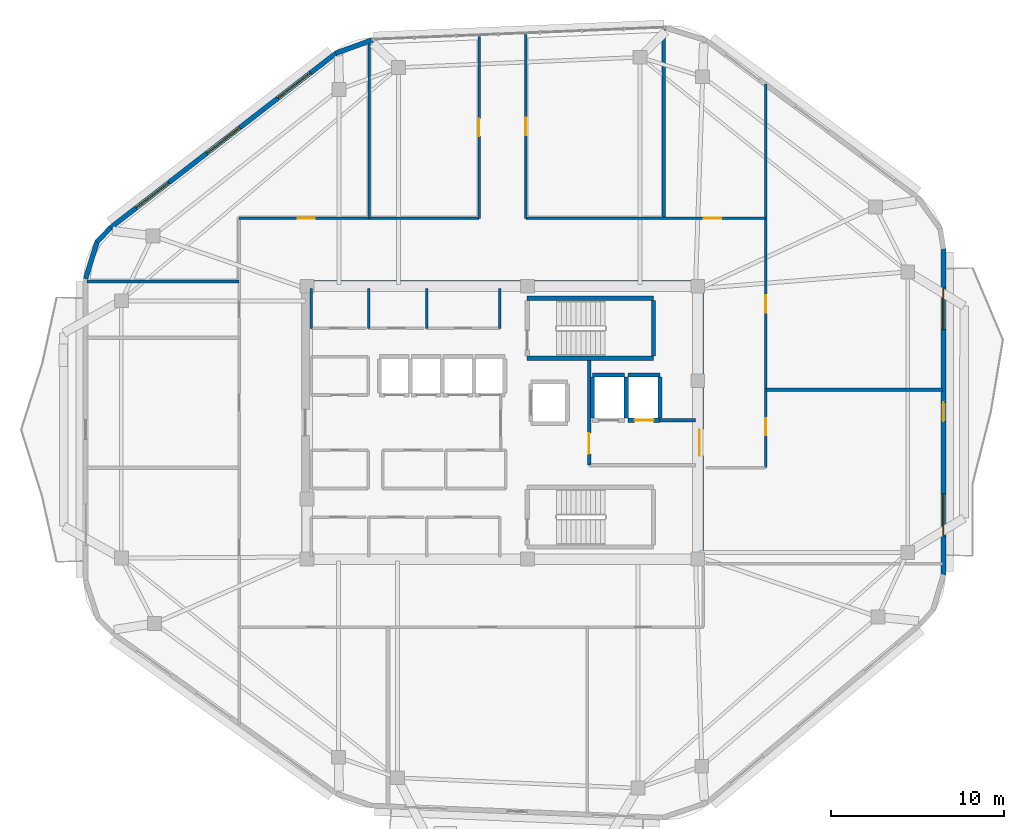
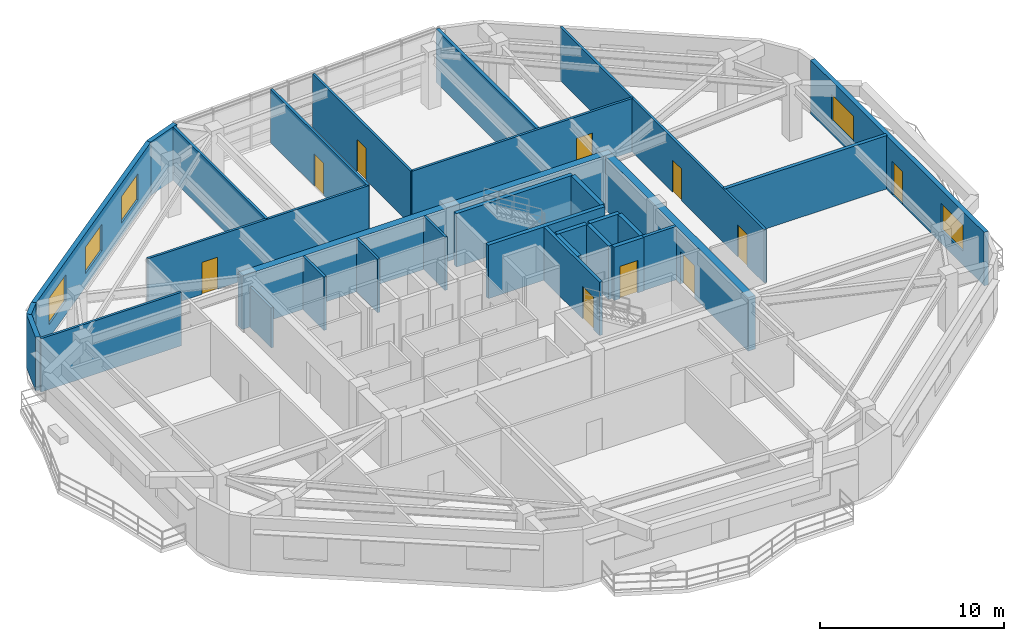
# One storey, part 8 of 12: 31 walls, 10 doors, 5 windows, 15 openings.
"""IFC4 building model written with IfcOpenShell, lengths in metres."""

import ifcopenshell
import ifcopenshell.guid

model = None  # the IFC model being written
_history = None  # IfcOwnerHistory: only IFC2X3 demands one
_inside = {}  # id of a spatial element -> (the spatial element, [elements in it])
_under = {}  # id of a project, library or spatial element -> (it, [spatial elements below it])
_declared = {}  # id of a project -> (the project, [libraries it declares])
_typed = {}  # id of a type object -> (the type object, [elements of that type])
_made_of = {}  # id of a material, layer set ... -> (it, [elements and type objects made of it])


def new_model(schema):
    """Start an empty IFC model of exactly this schema.

    Asked for "IFC4X3", IfcOpenShell would pick the latest addendum, in which some entities
    have other attributes; the version numbers below select the first issue.
    IFC2X3 requires an IfcOwnerHistory on every rooted entity: one is made here for all.
    """
    global model, _history
    if schema == "IFC4X3":
        model = ifcopenshell.file(schema_version=(4, 3, 0, 0))
    else:
        model = ifcopenshell.file(schema=schema)
    _inside.clear()
    _under.clear()
    _declared.clear()
    _typed.clear()
    _made_of.clear()
    _history = None
    if model.schema == "IFC2X3":
        org = make("IfcOrganization", Name="unknown")
        user = make(
            "IfcPersonAndOrganization",
            ThePerson=make("IfcPerson", FamilyName="unknown"),
            TheOrganization=org,
        )
        app = make(
            "IfcApplication",
            ApplicationDeveloper=org,
            Version="unknown",
            ApplicationFullName="unknown",
            ApplicationIdentifier="unknown",
        )
        _history = make(
            "IfcOwnerHistory",
            OwningUser=user,
            OwningApplication=app,
            ChangeAction="ADDED",
            CreationDate=0,
        )
    return model


def make(cls, **values):
    """One entity of the class cls with the attributes given. An attribute that is None is left unset."""
    return model.create_entity(
        cls, **{name: value for name, value in values.items() if value is not None}
    )


def rooted(cls, **values):
    """An entity with a GlobalId (a new one), such as an element, a storey or a relation."""
    return make(cls, GlobalId=ifcopenshell.guid.new(), OwnerHistory=_history, **values)


def si_unit(unit_type, name, prefix=None):
    """IfcSIUnit, for example si_unit("LENGTHUNIT", "METRE", prefix="MILLI")."""
    return make("IfcSIUnit", UnitType=unit_type, Prefix=prefix, Name=name)


def assignment(units):
    """IfcUnitAssignment: the units of a project."""
    return None if units is None else make("IfcUnitAssignment", Units=units)


def point(xyz):
    """IfcCartesianPoint."""
    return None if xyz is None else make("IfcCartesianPoint", Coordinates=xyz)


def direction(xyz):
    """IfcDirection."""
    return None if xyz is None else make("IfcDirection", DirectionRatios=xyz)


def frame(location, z_axis=None, x_axis=None):
    """IfcAxis2Placement3D, a coordinate frame: its origin and axes. An axis left out is left unset."""
    return make(
        "IfcAxis2Placement3D",
        Location=point(location),
        Axis=direction(z_axis),
        RefDirection=direction(x_axis),
    )


def frame_2d(location, x_axis=None):
    """IfcAxis2Placement2D, a coordinate frame in the plane: its origin and x axis."""
    return make(
        "IfcAxis2Placement2D", Location=point(location), RefDirection=direction(x_axis)
    )


def origin():
    """The frame at (0, 0, 0) with its axes left unset."""
    return frame((0.0, 0.0, 0.0))


def place(relative_to, where):
    """IfcLocalPlacement: puts the frame where relative to a parent placement (None: the world)."""
    return make(
        "IfcLocalPlacement", PlacementRelTo=relative_to, RelativePlacement=where
    )


def context(
    kind, dimensions, precision=None, world=None, true_north=None, identifier=None
):
    """IfcGeometricRepresentationContext, for example the 3D "Model" context."""
    return make(
        "IfcGeometricRepresentationContext",
        ContextIdentifier=identifier,
        ContextType=kind,
        CoordinateSpaceDimension=dimensions,
        Precision=precision,
        WorldCoordinateSystem=world,
        TrueNorth=true_north,
    )


def subcontext(parent, identifier, kind, view, scale=None):
    """IfcGeometricRepresentationSubContext, for example "Body" below "Model"."""
    return make(
        "IfcGeometricRepresentationSubContext",
        ContextIdentifier=identifier,
        ContextType=kind,
        ParentContext=parent,
        TargetScale=scale,
        TargetView=view,
    )


def project(units=None, contexts=None):
    """IfcProject with its units and contexts."""
    return rooted(
        "IfcProject",
        Name="project",
        RepresentationContexts=contexts,
        UnitsInContext=assignment(units),
    )


def spatial(cls, under=None, at=None, **own):
    """A site, building, storey or space (cls), placed at a placement, below another one or the project."""
    s = rooted(cls, ObjectPlacement=at, **own)
    if under is not None:
        _under.setdefault(under.id(), (under, []))[1].append(s)
    return s


def profile(cls, at=None, kind="AREA", **sizes):
    """A parametric profile (cls). Its sizes go by their IFC names, for example OverallWidth=200.0."""
    return make(cls, ProfileType=kind, Position=at, **sizes)


def rectangle(**sizes):
    """IfcRectangleProfileDef."""
    return profile("IfcRectangleProfileDef", **sizes)


def extrude(swept, where, along, depth):
    """IfcExtrudedAreaSolid: the profile swept, set in the frame where, extruded along a direction by depth."""
    return make(
        "IfcExtrudedAreaSolid",
        SweptArea=swept,
        Position=where,
        ExtrudedDirection=direction(along),
        Depth=depth,
    )


def shape(context_of_items, identifier, shape_type, items):
    """IfcShapeRepresentation: the items that make up one representation, for example the "Body"."""
    return make(
        "IfcShapeRepresentation",
        ContextOfItems=context_of_items,
        RepresentationIdentifier=identifier,
        RepresentationType=shape_type,
        Items=items,
    )


def material(Name=None, Category=None):
    """IfcMaterial."""
    return make("IfcMaterial", Name=Name, Category=Category)


def layer(
    of_material, thickness, ventilated=None, Name=None, Category=None, Priority=None
):
    """IfcMaterialLayer: one layer of a wall or slab, of a material (None: an air gap)."""
    return make(
        "IfcMaterialLayer",
        Material=of_material,
        LayerThickness=thickness,
        IsVentilated=ventilated,
        Name=Name,
        Category=Category,
        Priority=Priority,
    )


def layer_set(layers, Name=None):
    """IfcMaterialLayerSet."""
    return make("IfcMaterialLayerSet", MaterialLayers=layers, LayerSetName=Name)


def made_of(thing, what):
    """Note that an element or type object is made of a material, layer set ...; save() writes the relation."""
    if what is not None:
        _made_of.setdefault(what.id(), (what, []))[1].append(thing)
    return thing


def type_object(cls, material=None, **own):
    """A type object (cls), such as IfcWallType, which elements share."""
    return made_of(rooted(cls, **own), material)


def element(
    cls,
    number,
    at=None,
    inside=None,
    cuts=None,
    type_object=None,
    material=None,
    context=None,
    identifier="Body",
    shape_type=None,
    held_by="IfcProductDefinitionShape",
    body=None,
    shapes=None,
    **own,
):
    """One element of the class cls, such as IfcWall. Its Tag is "e" and its number.

    at: its placement. inside: the storey or other place that contains it. cuts: it is an
    opening in that element (IfcRelVoidsElement). A single representation is given by context,
    identifier, shape_type and body (its items); several are given by shapes. held_by: the class
    of the entity that holds the representations. save() writes the other relations.
    """
    e = rooted(cls, Tag="e%d" % number, ObjectPlacement=at, **own)
    if body is not None:
        shapes = [shape(context, identifier, shape_type, body)]
    if shapes is not None:
        e.Representation = make(held_by, Representations=shapes)
    if inside is not None:
        _inside.setdefault(inside.id(), (inside, []))[1].append(e)
    if cuts is not None:
        rooted(
            "IfcRelVoidsElement", RelatingBuildingElement=cuts, RelatedOpeningElement=e
        )
    if type_object is not None:
        _typed.setdefault(type_object.id(), (type_object, []))[1].append(e)
    return made_of(e, material)


def fill(opening, filler):
    """IfcRelFillsElement: the door or window that sits in an opening."""
    return rooted(
        "IfcRelFillsElement",
        RelatingOpeningElement=opening,
        RelatedBuildingElement=filler,
    )


def aggregate(whole, parts):
    """IfcRelAggregates: a whole, such as a stair, and the parts it consists of."""
    return rooted("IfcRelAggregates", RelatingObject=whole, RelatedObjects=parts)


def save(model, path):
    """Write the relations noted so far, then the file.

    IfcRelAggregates (storeys below a building ...), IfcRelContainedInSpatialStructure (elements
    in a storey), IfcRelDefinesByType, IfcRelAssociatesMaterial and IfcRelDeclares: one each for
    every whole, place, type object, material and project.
    """
    for whole, parts in _under.values():
        aggregate(whole, parts)
    for where, things in _inside.values():
        rooted(
            "IfcRelContainedInSpatialStructure",
            RelatedElements=things,
            RelatingStructure=where,
        )
    for kind, things in _typed.values():
        rooted("IfcRelDefinesByType", RelatedObjects=things, RelatingType=kind)
    for what, things in _made_of.values():
        rooted("IfcRelAssociatesMaterial", RelatedObjects=things, RelatingMaterial=what)
    for by, libraries in _declared.values():
        rooted("IfcRelDeclares", RelatingContext=by, RelatedDefinitions=libraries)
    model.write(path)


model = new_model("IFC4")

# Units and contexts
model_context = context("Model", 3, precision=1e-05, world=origin(), true_north=direction((0.0, 1.0)))
body_context = subcontext(model_context, "Body", "Model", "MODEL_VIEW")
ifc_project = project(units=[si_unit("LENGTHUNIT", "METRE"), si_unit("AREAUNIT", "SQUARE_METRE"), si_unit("VOLUMEUNIT", "CUBIC_METRE"), si_unit("PLANEANGLEUNIT", "RADIAN"), si_unit("MASSUNIT", "GRAM", prefix="KILO")], contexts=[model_context])

# Site, building, storey
site_placement = place(None, origin())
site = spatial("IfcSite", under=ifc_project, at=site_placement, CompositionType="ELEMENT")
building_placement = place(site_placement, origin())
building = spatial("IfcBuilding", under=site, at=building_placement, Name="Zulverin Broadcast Headquarters", CompositionType="ELEMENT")
storey_placement = place(building_placement, frame((0.0, 0.0, 289.60009765625)))
storey = spatial("IfcBuildingStorey", under=building, at=storey_placement, Name="L74", CompositionType="ELEMENT", Elevation=289.60009765625)

# Walls
ifc_material_1 = material(Name="Acoustic drywall steel stud", Category="steel")
ifc_layer_1 = layer(ifc_material_1, 0.199951171875, Name="Acoustic drywall steel stud", Category="steel")
ifc_layer_set_1 = layer_set([ifc_layer_1], Name="Acoustic drywall steel stud")
wall_type_1 = type_object("IfcWallType", Name="WL-ACOU-200", PredefinedType="PARTITIONING", material=ifc_layer_set_1)
wall_1_placement = place(storey_placement, frame((46.300048828125, 37.0, 0.0), z_axis=(0.0, 0.0, 1.0), x_axis=(0.0, 1.0, 0.0)))
element("IfcWall", 1, at=wall_1_placement, inside=storey, type_object=wall_type_1, Name="L74 Room Partition Wall RP-03", PredefinedType="PARTITIONING", context=body_context, shape_type="SweptSolid", body=[
    extrude(rectangle(XDim=10.935302734375, YDim=0.199951171875, at=frame_2d((5.4677734375, 0.0))), origin(), (0.0, 0.0, 1.0), 3.539794921875),
])
ifc_material_2 = material(Name="Double-stud acoustic drywall", Category="gypsum")
ifc_layer_2 = layer(ifc_material_2, 0.219970703125, Name="Double-stud acoustic drywall", Category="gypsum")
ifc_layer_set_2 = layer_set([ifc_layer_2], Name="Double-stud acoustic drywall")
wall_type_2 = type_object("IfcWallType", Name="WL-ACOU-220", PredefinedType="PARTITIONING", material=ifc_layer_set_2)
wall_2_placement = place(storey_placement, frame((52.200927734375, 27.10009765625, 0.0), z_axis=(0.0, 0.0, 1.0), x_axis=(1.0, 0.0, 0.0)))
element("IfcWall", 2, at=wall_2_placement, inside=storey, type_object=wall_type_2, Name="L74 Room Partition Wall RP-14", PredefinedType="PARTITIONING", context=body_context, shape_type="SweptSolid", body=[
    extrude(rectangle(XDim=10.194091796875, YDim=0.219970703125, at=frame_2d((5.09716796875, 0.0))), origin(), (0.0, 0.0, 1.0), 3.539794921875),
])
ifc_material_3 = material(Name="Concrete C50/60", Category="concrete")
ifc_layer_3 = layer(ifc_material_3, 0.449951171875, Name="Concrete C50/60", Category="concrete")
ifc_layer_set_3 = layer_set([ifc_layer_3], Name="Concrete C50/60")
wall_type_3 = type_object("IfcWallType", Name="WL-CORE-450", PredefinedType="SHEAR", material=ifc_layer_set_3)
wall_3_placement = place(storey_placement, frame((25.39990234375, 33.175048828125, 0.0), z_axis=(0.0, 0.0, 1.0), x_axis=(1.0, 0.0, 0.0)))
element("IfcWall", 3, at=wall_3_placement, inside=storey, type_object=wall_type_3, Name="L74 Core North Shear Wall", PredefinedType="SHEAR", context=body_context, shape_type="SweptSolid", body=[
    extrude(rectangle(XDim=23.2001953125, YDim=0.449951171875, at=frame_2d((11.60009765625, 0.0))), origin(), (0.0, 0.0, 1.0), 3.539794921875),
])

# Wall, opening, door
wall_4_placement = place(storey_placement, frame((48.375, 17.449951171875, 0.0), z_axis=(0.0, 0.0, 1.0), x_axis=(0.0, 1.0, 0.0)))
wall_4 = element("IfcWall", 4, at=wall_4_placement, inside=storey, type_object=wall_type_3, Name="L74 Core East Shear Wall", PredefinedType="SHEAR", context=body_context, shape_type="SweptSolid", body=[
    extrude(rectangle(XDim=15.5, YDim=0.449951171875, at=frame_2d((7.75, 0.0))), origin(), (0.0, 0.0, 1.0), 3.539794921875),
])
opening_1_placement = place(wall_4_placement, frame((5.85009765625, 0.0, 0.0)))
opening_1 = element("IfcOpeningElement", 5, at=opening_1_placement, cuts=wall_4, Name="Opening D-L74-CE1", PredefinedType="OPENING", context=body_context, shape_type="SweptSolid", body=[
    extrude(rectangle(XDim=1.5, YDim=2.14990234375, at=frame_2d((0.75, 1.074951171875))), frame((0.0, 0.23486328125, 0.0), z_axis=(0.0, -1.0, 0.0), x_axis=(1.0, 0.0, 0.0)), (0.0, 0.0, 1.0), 0.469970703125),
])
ifc_material_4 = material(Name="Fire-rated glazed steel frame", Category="steel")
door_type_1 = type_object("IfcDoorType", Name="DR-COR-1500", OperationType="DOUBLE_DOOR_SINGLE_SWING", PredefinedType="DOOR", material=ifc_material_4)
door_1_placement = place(opening_1_placement, origin())
door_1 = element("IfcDoor", 6, at=door_1_placement, inside=storey, type_object=door_type_1, Name="L74 Firefighting Lobby East Corridor Door", OperationType="DOUBLE_DOOR_SINGLE_SWING", OverallHeight=2.14990234375, OverallWidth=1.5, PredefinedType="DOOR", context=body_context, shape_type="SweptSolid", body=[
    extrude(rectangle(XDim=1.5, YDim=2.14990234375, at=frame_2d((0.75, 1.074951171875))), frame((0.0, 0.02490234375, 0.0), z_axis=(0.0, -1.0, 0.0), x_axis=(1.0, 0.0, 0.0)), (0.0, 0.0, 1.0), 0.050048828125),
])
fill(opening_1, door_1)

# Wall, openings, door, windows
ifc_material_5 = material(Name="Insulated pale-metal clad concrete spandrel C40/50", Category="concrete")
ifc_layer_4 = layer(ifc_material_5, 0.280029296875, Name="Insulated pale-metal clad concrete spandrel C40/50", Category="concrete")
ifc_layer_set_4 = layer_set([ifc_layer_4], Name="Insulated pale-metal clad concrete spandrel C40/50")
wall_type_4 = type_object("IfcWallType", Name="WL-EXT-280", PredefinedType="STANDARD", material=ifc_layer_set_4)
wall_5_placement = place(storey_placement, frame((62.4599609375, 16.3955078125, 0.0), z_axis=(0.0, 0.0, 1.0), x_axis=(0.0, 1.0, 0.0)))
wall_5 = element("IfcWall", 7, at=wall_5_placement, inside=storey, type_object=wall_type_4, Name="L74 Pale-Metal Clad Spandrel Wall 3", PredefinedType="STANDARD", context=body_context, shape_type="SweptSolid", body=[
    extrude(rectangle(XDim=18.8544921875, YDim=0.280029296875, at=frame_2d((9.42724609375, 0.0))), origin(), (0.0, 0.0, 1.0), 3.539794921875),
])
opening_2_placement = place(wall_5_placement, frame((8.877197265625, 0.0, 0.0)))
opening_2 = element("IfcOpeningElement", 8, at=opening_2_placement, cuts=wall_5, Name="Opening D-L74-TR3", PredefinedType="OPENING", context=body_context, shape_type="SweptSolid", body=[
    extrude(rectangle(XDim=1.10009765625, YDim=2.199951171875, at=frame_2d((0.550048828125, 1.10009765625))), frame((0.0, 0.14990234375, 0.0), z_axis=(0.0, -1.0, 0.0), x_axis=(1.0, 0.0, 0.0)), (0.0, 0.0, 1.0), 0.300048828125),
])
opening_3_placement = place(wall_5_placement, frame((2.27587890625, 0.0, 0.89990234375)))
opening_3 = element("IfcOpeningElement", 9, at=opening_3_placement, cuts=wall_5, Name="Opening W-L74-E31", PredefinedType="OPENING", context=body_context, shape_type="SweptSolid", body=[
    extrude(rectangle(XDim=2.39990234375, YDim=1.75, at=frame_2d((1.199951171875, 0.875))), frame((0.0, 0.14990234375, 0.0), z_axis=(0.0, -1.0, 0.0), x_axis=(1.0, 0.0, 0.0)), (0.0, 0.0, 1.0), 0.300048828125),
])
opening_4_placement = place(wall_5_placement, frame((14.1787109375, 0.0, 0.89990234375)))
opening_4 = element("IfcOpeningElement", 10, at=opening_4_placement, cuts=wall_5, Name="Opening W-L74-E32", PredefinedType="OPENING", context=body_context, shape_type="SweptSolid", body=[
    extrude(rectangle(XDim=2.39990234375, YDim=1.75, at=frame_2d((1.199951171875, 0.875))), frame((0.0, 0.14990234375, 0.0), z_axis=(0.0, -1.0, 0.0), x_axis=(1.0, 0.0, 0.0)), (0.0, 0.0, 1.0), 0.300048828125),
])
ifc_material_6 = material(Name="Thermally broken aluminium glazed", Category="aluminium")
door_type_2 = type_object("IfcDoorType", Name="DR-TERR-1100", OperationType="SINGLE_SWING_RIGHT", PredefinedType="DOOR", material=ifc_material_6)
door_2_placement = place(opening_2_placement, origin())
door_2 = element("IfcDoor", 11, at=door_2_placement, inside=storey, type_object=door_type_2, Name="L74 Planted Terrace Glazed Access Door 3", OperationType="SINGLE_SWING_RIGHT", OverallHeight=2.199951171875, OverallWidth=1.10009765625, PredefinedType="DOOR", context=body_context, shape_type="SweptSolid", body=[
    extrude(rectangle(XDim=1.10009765625, YDim=2.199951171875, at=frame_2d((0.550048828125, 1.10009765625))), frame((0.0, 0.02490234375, 0.0), z_axis=(0.0, -1.0, 0.0), x_axis=(1.0, 0.0, 0.0)), (0.0, 0.0, 1.0), 0.050048828125),
])
fill(opening_2, door_2)
ifc_material_7 = material(Name="Pale anodized aluminium frame with solar-control low-E double glazing", Category="aluminium")
window_type = type_object("IfcWindowType", Name="WIN-RIB-2400", PartitioningType="SINGLE_PANEL", PredefinedType="WINDOW", material=ifc_material_7)
window_1_placement = place(opening_3_placement, origin())
window_1 = element("IfcWindow", 12, at=window_1_placement, inside=storey, type_object=window_type, Name="L74 Ribbon Glazing Window 3 1", OverallHeight=1.75, OverallWidth=2.39990234375, PartitioningType="SINGLE_PANEL", PredefinedType="WINDOW", context=body_context, shape_type="SweptSolid", body=[
    extrude(rectangle(XDim=2.39990234375, YDim=1.75, at=frame_2d((1.199951171875, 0.875))), frame((0.0, 0.030029296875, 0.0), z_axis=(0.0, -1.0, 0.0), x_axis=(1.0, 0.0, 0.0)), (0.0, 0.0, 1.0), 0.06005859375),
])
fill(opening_3, window_1)
window_2_placement = place(opening_4_placement, origin())
window_2 = element("IfcWindow", 13, at=window_2_placement, inside=storey, type_object=window_type, Name="L74 Ribbon Glazing Window 3 2", OverallHeight=1.75, OverallWidth=2.39990234375, PartitioningType="SINGLE_PANEL", PredefinedType="WINDOW", context=body_context, shape_type="SweptSolid", body=[
    extrude(rectangle(XDim=2.39990234375, YDim=1.75, at=frame_2d((1.199951171875, 0.875))), frame((0.0, 0.030029296875, 0.0), z_axis=(0.0, -1.0, 0.0), x_axis=(1.0, 0.0, 0.0)), (0.0, 0.0, 1.0), 0.06005859375),
])
fill(opening_4, window_2)

# Wall, openings, windows
wall_6_placement = place(storey_placement, frame((27.4150390625, 46.54736328125, 0.0), z_axis=(0.0, 0.0, 1.0), x_axis=(-0.790789745248, -0.612087884875, 0.0)))
wall_6 = element("IfcWall", 14, at=wall_6_placement, inside=storey, type_object=wall_type_4, Name="L74 Pale-Metal Clad Spandrel Wall 6", PredefinedType="STANDARD", context=body_context, shape_type="SweptSolid", body=[
    extrude(rectangle(XDim=16.509033203125, YDim=0.280029296875, at=frame_2d((8.25439453125, 0.0))), origin(), (0.0, 0.0, 1.0), 3.539794921875),
])
opening_5_placement = place(wall_6_placement, frame((1.885009765625, 0.0, 0.89990234375)))
opening_5 = element("IfcOpeningElement", 15, at=opening_5_placement, cuts=wall_6, Name="Opening W-L74-E61", PredefinedType="OPENING", context=body_context, shape_type="SweptSolid", body=[
    extrude(rectangle(XDim=2.39990234375, YDim=1.75, at=frame_2d((1.199951171875, 0.875))), frame((0.0, 0.14990234375, 0.0), z_axis=(0.0, -1.0, 0.0), x_axis=(1.0, 0.0, 0.0)), (0.0, 0.0, 1.0), 0.300048828125),
])
opening_6_placement = place(wall_6_placement, frame((7.0546875, 0.0, 0.89990234375)))
opening_6 = element("IfcOpeningElement", 16, at=opening_6_placement, cuts=wall_6, Name="Opening W-L74-E62", PredefinedType="OPENING", context=body_context, shape_type="SweptSolid", body=[
    extrude(rectangle(XDim=2.39990234375, YDim=1.75, at=frame_2d((1.199951171875, 0.875))), frame((0.0, 0.14990234375, 0.0), z_axis=(0.0, -1.0, 0.0), x_axis=(1.0, 0.0, 0.0)), (0.0, 0.0, 1.0), 0.300048828125),
])
opening_7_placement = place(wall_6_placement, frame((12.224365234375, 0.0, 0.89990234375)))
opening_7 = element("IfcOpeningElement", 17, at=opening_7_placement, cuts=wall_6, Name="Opening W-L74-E63", PredefinedType="OPENING", context=body_context, shape_type="SweptSolid", body=[
    extrude(rectangle(XDim=2.39990234375, YDim=1.75, at=frame_2d((1.199951171875, 0.875))), frame((0.0, 0.14990234375, 0.0), z_axis=(0.0, -1.0, 0.0), x_axis=(1.0, 0.0, 0.0)), (0.0, 0.0, 1.0), 0.300048828125),
])
window_3_placement = place(opening_5_placement, origin())
window_3 = element("IfcWindow", 18, at=window_3_placement, inside=storey, type_object=window_type, Name="L74 Ribbon Glazing Window 6 1", OverallHeight=1.75, OverallWidth=2.39990234375, PartitioningType="SINGLE_PANEL", PredefinedType="WINDOW", context=body_context, shape_type="SweptSolid", body=[
    extrude(rectangle(XDim=2.39990234375, YDim=1.75, at=frame_2d((1.199951171875, 0.875))), frame((0.0, 0.030029296875, 0.0), z_axis=(0.0, -1.0, 0.0), x_axis=(1.0, 0.0, 0.0)), (0.0, 0.0, 1.0), 0.06005859375),
])
fill(opening_5, window_3)
window_4_placement = place(opening_6_placement, origin())
window_4 = element("IfcWindow", 19, at=window_4_placement, inside=storey, type_object=window_type, Name="L74 Ribbon Glazing Window 6 2", OverallHeight=1.75, OverallWidth=2.39990234375, PartitioningType="SINGLE_PANEL", PredefinedType="WINDOW", context=body_context, shape_type="SweptSolid", body=[
    extrude(rectangle(XDim=2.39990234375, YDim=1.75, at=frame_2d((1.199951171875, 0.875))), frame((0.0, 0.030029296875, 0.0), z_axis=(0.0, -1.0, 0.0), x_axis=(1.0, 0.0, 0.0)), (0.0, 0.0, 1.0), 0.06005859375),
])
fill(opening_6, window_4)
window_5_placement = place(opening_7_placement, origin())
window_5 = element("IfcWindow", 20, at=window_5_placement, inside=storey, type_object=window_type, Name="L74 Ribbon Glazing Window 6 3", OverallHeight=1.75, OverallWidth=2.39990234375, PartitioningType="SINGLE_PANEL", PredefinedType="WINDOW", context=body_context, shape_type="SweptSolid", body=[
    extrude(rectangle(XDim=2.39990234375, YDim=1.75, at=frame_2d((1.199951171875, 0.875))), frame((0.0, 0.030029296875, 0.0), z_axis=(0.0, -1.0, 0.0), x_axis=(1.0, 0.0, 0.0)), (0.0, 0.0, 1.0), 0.06005859375),
])
fill(opening_7, window_5)

# Walls
wall_7_placement = place(storey_placement, frame((29.486083984375, 47.2958984375, 0.0), z_axis=(0.0, 0.0, 1.0), x_axis=(-0.939434048497, -0.342729731019, 0.0)))
element("IfcWall", 21, at=wall_7_placement, inside=storey, type_object=wall_type_4, Name="L74 Wind-Shaped Corner Spandrel Wall 5-1", PredefinedType="STANDARD", context=body_context, shape_type="SweptSolid", body=[
    extrude(rectangle(XDim=2.24462890625, YDim=0.280029296875, at=frame_2d((1.122314453125, 0.0))), origin(), (0.0, 0.0, 1.0), 3.539794921875),
])
wall_8_placement = place(storey_placement, frame((14.37548828125, 36.45654296875, 0.0), z_axis=(0.0, 0.0, 1.0), x_axis=(-0.68895569752, -0.724803453948, 0.0)))
element("IfcWall", 22, at=wall_8_placement, inside=storey, type_object=wall_type_4, Name="L74 Wind-Shaped Corner Spandrel Wall 6-1", PredefinedType="STANDARD", context=body_context, shape_type="SweptSolid", body=[
    extrude(rectangle(XDim=1.15087890625, YDim=0.280029296875, at=frame_2d((0.575439453125, 0.0))), origin(), (0.0, 0.0, 1.0), 3.539794921875),
])
wall_9_placement = place(storey_placement, frame((13.61474609375, 35.677001953125, 0.0), z_axis=(0.0, 0.0, 1.0), x_axis=(-0.299374552426, -0.954135670311, 0.0)))
element("IfcWall", 23, at=wall_9_placement, inside=storey, type_object=wall_type_4, Name="L74 Wind-Shaped Corner Spandrel Wall 6-2", PredefinedType="STANDARD", context=body_context, shape_type="SweptSolid", body=[
    extrude(rectangle(XDim=2.275146484375, YDim=0.280029296875, at=frame_2d((1.1376953125, 0.0))), origin(), (0.0, 0.0, 1.0), 3.539794921875),
])

# Wall, opening, door
ifc_material_8 = material(Name="Concrete C40/50", Category="concrete")
ifc_layer_5 = layer(ifc_material_8, 0.199951171875, Name="Concrete C40/50", Category="concrete")
ifc_layer_set_5 = layer_set([ifc_layer_5], Name="Concrete C40/50")
wall_type_5 = type_object("IfcWallType", Name="WL-FFL-200", PredefinedType="SOLIDWALL", material=ifc_layer_set_5)
wall_10_placement = place(storey_placement, frame((42.0, 22.75, 0.0), z_axis=(0.0, 0.0, 1.0), x_axis=(0.0, 1.0, 0.0)))
wall_10 = element("IfcWall", 24, at=wall_10_placement, inside=storey, type_object=wall_type_5, Name="L74 Firefighting Lift Lobby West Wall", PredefinedType="SOLIDWALL", context=body_context, shape_type="SweptSolid", body=[
    extrude(rectangle(XDim=6.050048828125, YDim=0.199951171875, at=frame_2d((3.02490234375, 0.0))), origin(), (0.0, 0.0, 1.0), 3.539794921875),
])
opening_8_placement = place(wall_10_placement, frame((0.64990234375, 0.0, 0.0)))
opening_8 = element("IfcOpeningElement", 25, at=opening_8_placement, cuts=wall_10, Name="Opening D-L74-FFLW", PredefinedType="OPENING", context=body_context, shape_type="SweptSolid", body=[
    extrude(rectangle(XDim=1.199951171875, YDim=2.14990234375, at=frame_2d((0.60009765625, 1.074951171875))), frame((0.0, 0.10986328125, 0.0), z_axis=(0.0, -1.0, 0.0), x_axis=(1.0, 0.0, 0.0)), (0.0, 0.0, 1.0), 0.219970703125),
])
ifc_material_9 = material(Name="Fire-rated steel leaf and frame", Category="steel")
door_type_3 = type_object("IfcDoorType", Name="DR-FFL-1200", OperationType="SINGLE_SWING_RIGHT", PredefinedType="DOOR", material=ifc_material_9)
door_3_placement = place(opening_8_placement, origin())
door_3 = element("IfcDoor", 26, at=door_3_placement, inside=storey, type_object=door_type_3, Name="L74 Firefighting Lift Lobby Door", OperationType="SINGLE_SWING_RIGHT", OverallHeight=2.14990234375, OverallWidth=1.199951171875, PredefinedType="DOOR", context=body_context, shape_type="SweptSolid", body=[
    extrude(rectangle(XDim=1.199951171875, YDim=2.14990234375, at=frame_2d((0.60009765625, 1.074951171875))), frame((0.0, 0.02490234375, 0.0), z_axis=(0.0, -1.0, 0.0), x_axis=(1.0, 0.0, 0.0)), (0.0, 0.0, 1.0), 0.050048828125),
])
fill(opening_8, door_3)

# Walls
wall_11_placement = place(storey_placement, frame((46.10009765625, 25.35009765625, 0.0), z_axis=(0.0, 0.0, 1.0), x_axis=(1.0, 0.0, 0.0)))
element("IfcWall", 27, at=wall_11_placement, inside=storey, type_object=wall_type_5, Name="L74 Firefighting Lift Lobby North Wall", PredefinedType="SOLIDWALL", context=body_context, shape_type="SweptSolid", body=[
    extrude(rectangle(XDim=2.0498046875, YDim=0.199951171875, at=frame_2d((1.02490234375, 0.0))), origin(), (0.0, 0.0, 1.0), 3.539794921875),
])
ifc_material_10 = material(Name="Fire-rated gypsum stud partition", Category="gypsum")
ifc_layer_6 = layer(ifc_material_10, 0.14990234375, Name="Fire-rated gypsum stud partition", Category="gypsum")
ifc_layer_set_6 = layer_set([ifc_layer_6], Name="Fire-rated gypsum stud partition")
wall_type_6 = type_object("IfcWallType", Name="WL-PART-150", PredefinedType="PARTITIONING", material=ifc_layer_set_6)
wall_12_placement = place(storey_placement, frame((25.969970703125, 30.64990234375, 0.0), z_axis=(0.0, 0.0, 1.0), x_axis=(0.0, 1.0, 0.0)))
element("IfcWall", 28, at=wall_12_placement, inside=storey, type_object=wall_type_6, Name="L74 Core Male WC West Wall", PredefinedType="PARTITIONING", context=body_context, shape_type="SweptSolid", body=[
    extrude(rectangle(XDim=2.300048828125, YDim=0.14990234375, at=frame_2d((1.14990234375, 0.0))), origin(), (0.0, 0.0, 1.0), 2.639892578125),
])
for number, where, z_axis, x_axis, name in (
    (29, (29.280029296875, 30.64990234375, 0.0), (0.0, 0.0, 1.0), (0.0, 1.0, 0.0), "L74 Core Accessible WC West Wall"),
    (30, (32.6298828125, 30.64990234375, 0.0), (0.0, 0.0, 1.0), (0.0, 1.0, 0.0), "L74 Core Electrical Distribution Riser West Wall"),
    (31, (36.85009765625, 30.64990234375, 0.0), (0.0, 0.0, 1.0), (0.0, 1.0, 0.0), "L74 Core Electrical Distribution Riser East Wall"),
):
    element("IfcWall", number, at=place(storey_placement, frame(where, z_axis=z_axis, x_axis=x_axis)), inside=storey, type_object=wall_type_6, Name=name, PredefinedType="PARTITIONING", context=body_context, shape_type="SweptSolid", body=[
        extrude(rectangle(XDim=2.300048828125, YDim=0.14990234375, at=frame_2d((1.14990234375, 0.0))), origin(), (0.0, 0.0, 1.0), 3.539794921875),
    ])

# Wall, openings, doors
wall_13_placement = place(storey_placement, frame((52.199951171875, 22.60009765625, 0.0), z_axis=(0.0, 0.0, 1.0), x_axis=(0.0, 1.0, 0.0)))
wall_13 = element("IfcWall", 32, at=wall_13_placement, inside=storey, type_object=wall_type_6, Name="L74 Gallery Partition Wall CG-01", PredefinedType="PARTITIONING", context=body_context, shape_type="SweptSolid", body=[
    extrude(rectangle(XDim=22.152587890625, YDim=0.14990234375, at=frame_2d((11.076171875, 0.0))), origin(), (0.0, 0.0, 1.0), 3.539794921875),
])
opening_9_placement = place(wall_13_placement, frame((1.8701171875, 0.0, 0.0)))
opening_9 = element("IfcOpeningElement", 33, at=opening_9_placement, cuts=wall_13, Name="Opening D-L74-11", PredefinedType="OPENING", context=body_context, shape_type="SweptSolid", body=[
    extrude(rectangle(XDim=1.0, YDim=2.1201171875, at=frame_2d((0.5, 1.06005859375))), frame((0.0, 0.0849609375, 0.0), z_axis=(0.0, -1.0, 0.0), x_axis=(1.0, 0.0, 0.0)), (0.0, 0.0, 1.0), 0.169921875),
])
opening_10_placement = place(wall_13_placement, frame((8.949951171875, 0.0, 0.0)))
opening_10 = element("IfcOpeningElement", 34, at=opening_10_placement, cuts=wall_13, Name="Opening D-L74-12", PredefinedType="OPENING", context=body_context, shape_type="SweptSolid", body=[
    extrude(rectangle(XDim=1.0, YDim=2.1201171875, at=frame_2d((0.5, 1.06005859375))), frame((0.0, 0.0849609375, 0.0), z_axis=(0.0, -1.0, 0.0), x_axis=(1.0, 0.0, 0.0)), (0.0, 0.0, 1.0), 0.169921875),
])
ifc_material_11 = material(Name="Hardwood veneer acoustic leaf", Category="wood")
door_type_4 = type_object("IfcDoorType", Name="DR-OFF-1000", OperationType="SINGLE_SWING_LEFT", PredefinedType="DOOR", material=ifc_material_11)
door_4_placement = place(opening_9_placement, origin())
door_4 = element("IfcDoor", 35, at=door_4_placement, inside=storey, type_object=door_type_4, Name="L74 Chairman Suite Office Door", OperationType="SINGLE_SWING_RIGHT", OverallHeight=2.1201171875, OverallWidth=1.0, PredefinedType="DOOR", context=body_context, shape_type="SweptSolid", body=[
    extrude(rectangle(XDim=1.0, YDim=2.1201171875, at=frame_2d((0.5, 1.06005859375))), frame((0.0, 0.02490234375, 0.0), z_axis=(0.0, -1.0, 0.0), x_axis=(1.0, 0.0, 0.0)), (0.0, 0.0, 1.0), 0.050048828125),
])
fill(opening_9, door_4)
door_5_placement = place(opening_10_placement, origin())
door_5 = element("IfcDoor", 36, at=door_5_placement, inside=storey, type_object=door_type_4, Name="L74 Chief Engineer Office Door", OperationType="SINGLE_SWING_LEFT", OverallHeight=2.1201171875, OverallWidth=1.0, PredefinedType="DOOR", context=body_context, shape_type="SweptSolid", body=[
    extrude(rectangle(XDim=1.0, YDim=2.1201171875, at=frame_2d((0.5, 1.06005859375))), frame((0.0, 0.02490234375, 0.0), z_axis=(0.0, -1.0, 0.0), x_axis=(1.0, 0.0, 0.0)), (0.0, 0.0, 1.0), 0.050048828125),
])
fill(opening_10, door_5)

# Wall, opening, door
wall_14_placement = place(storey_placement, frame((38.35009765625, 37.0, 0.0), z_axis=(0.0, 0.0, 1.0), x_axis=(0.0, 1.0, 0.0)))
wall_14 = element("IfcWall", 37, at=wall_14_placement, inside=storey, type_object=wall_type_6, Name="L74 Gallery Partition Wall CG-05", PredefinedType="PARTITIONING", context=body_context, shape_type="SweptSolid", body=[
    extrude(rectangle(XDim=10.608642578125, YDim=0.14990234375, at=frame_2d((5.30419921875, 0.0))), origin(), (0.0, 0.0, 1.0), 3.539794921875),
])
opening_11_placement = place(wall_14_placement, frame((4.80419921875, 0.0, 0.0)))
opening_11 = element("IfcOpeningElement", 38, at=opening_11_placement, cuts=wall_14, Name="Opening D-L74-03", PredefinedType="OPENING", context=body_context, shape_type="SweptSolid", body=[
    extrude(rectangle(XDim=1.0, YDim=2.1201171875, at=frame_2d((0.5, 1.06005859375))), frame((0.0, 0.0849609375, 0.0), z_axis=(0.0, -1.0, 0.0), x_axis=(1.0, 0.0, 0.0)), (0.0, 0.0, 1.0), 0.169921875),
])
door_6_placement = place(opening_11_placement, origin())
door_6 = element("IfcDoor", 39, at=door_6_placement, inside=storey, type_object=door_type_4, Name="L74 General Counsel Office Door", OperationType="SINGLE_SWING_RIGHT", OverallHeight=2.1201171875, OverallWidth=1.0, PredefinedType="DOOR", context=body_context, shape_type="SweptSolid", body=[
    extrude(rectangle(XDim=1.0, YDim=2.1201171875, at=frame_2d((0.5, 1.06005859375))), frame((0.0, 0.02490234375, 0.0), z_axis=(0.0, -1.0, 0.0), x_axis=(1.0, 0.0, 0.0)), (0.0, 0.0, 1.0), 0.050048828125),
])
fill(opening_11, door_6)

wall_15_placement = place(storey_placement, frame((35.64990234375, 37.0, 0.0), z_axis=(0.0, 0.0, 1.0), x_axis=(0.0, 1.0, 0.0)))
wall_15 = element("IfcWall", 40, at=wall_15_placement, inside=storey, type_object=wall_type_6, Name="L74 Gallery Partition Wall CG-06", PredefinedType="PARTITIONING", context=body_context, shape_type="SweptSolid", body=[
    extrude(rectangle(XDim=10.49755859375, YDim=0.14990234375, at=frame_2d((5.248779296875, 0.0))), origin(), (0.0, 0.0, 1.0), 3.539794921875),
])
opening_12_placement = place(wall_15_placement, frame((4.748779296875, 0.0, 0.0)))
opening_12 = element("IfcOpeningElement", 41, at=opening_12_placement, cuts=wall_15, Name="Opening D-L74-02", PredefinedType="OPENING", context=body_context, shape_type="SweptSolid", body=[
    extrude(rectangle(XDim=1.0, YDim=2.1201171875, at=frame_2d((0.5, 1.06005859375))), frame((0.0, 0.0849609375, 0.0), z_axis=(0.0, -1.0, 0.0), x_axis=(1.0, 0.0, 0.0)), (0.0, 0.0, 1.0), 0.169921875),
])
door_7_placement = place(opening_12_placement, origin())
door_7 = element("IfcDoor", 42, at=door_7_placement, inside=storey, type_object=door_type_4, Name="L74 Chief Engineer Office Door", OperationType="SINGLE_SWING_LEFT", OverallHeight=2.1201171875, OverallWidth=1.0, PredefinedType="DOOR", context=body_context, shape_type="SweptSolid", body=[
    extrude(rectangle(XDim=1.0, YDim=2.1201171875, at=frame_2d((0.5, 1.06005859375))), frame((0.0, 0.02490234375, 0.0), z_axis=(0.0, -1.0, 0.0), x_axis=(1.0, 0.0, 0.0)), (0.0, 0.0, 1.0), 0.050048828125),
])
fill(opening_12, door_7)

# Walls
wall_16_placement = place(storey_placement, frame((29.300048828125, 37.0, 0.0), z_axis=(0.0, 0.0, 1.0), x_axis=(0.0, 1.0, 0.0)))
element("IfcWall", 43, at=wall_16_placement, inside=storey, type_object=wall_type_6, Name="L74 Room Partition Wall RP-08", PredefinedType="PARTITIONING", context=body_context, shape_type="SweptSolid", body=[
    extrude(rectangle(XDim=10.2158203125, YDim=0.14990234375, at=frame_2d((5.10791015625, 0.0))), origin(), (0.0, 0.0, 1.0), 3.539794921875),
])
wall_17_placement = place(storey_placement, frame((13.0048828125, 33.35009765625, 0.0), z_axis=(0.0, 0.0, 1.0), x_axis=(1.0, 0.0, 0.0)))
element("IfcWall", 44, at=wall_17_placement, inside=storey, type_object=wall_type_6, Name="L74 Room Partition Wall RP-16", PredefinedType="PARTITIONING", context=body_context, shape_type="SweptSolid", body=[
    extrude(rectangle(XDim=8.795166015625, YDim=0.14990234375, at=frame_2d((4.3974609375, 0.0))), origin(), (0.0, 0.0, 1.0), 3.539794921875),
])

# Wall, opening, door
wall_18_placement = place(storey_placement, frame((21.800048828125, 37.0, 0.0), z_axis=(0.0, 0.0, 1.0), x_axis=(1.0, 0.0, 0.0)))
wall_18 = element("IfcWall", 45, at=wall_18_placement, inside=storey, type_object=wall_type_6, Name="L74 Gallery Partition Wall CG-17", PredefinedType="PARTITIONING", context=body_context, shape_type="SweptSolid", body=[
    extrude(rectangle(XDim=13.849853515625, YDim=0.14990234375, at=frame_2d((6.9248046875, 0.0))), origin(), (0.0, 0.0, 1.0), 3.539794921875),
])
opening_13_placement = place(wall_18_placement, frame((3.3701171875, 0.0, 0.0)))
opening_13 = element("IfcOpeningElement", 46, at=opening_13_placement, cuts=wall_18, Name="Opening D-L74-01", PredefinedType="OPENING", context=body_context, shape_type="SweptSolid", body=[
    extrude(rectangle(XDim=1.0, YDim=2.1201171875, at=frame_2d((0.5, 1.06005859375))), frame((0.0, 0.0849609375, 0.0), z_axis=(0.0, -1.0, 0.0), x_axis=(1.0, 0.0, 0.0)), (0.0, 0.0, 1.0), 0.169921875),
])
door_8_placement = place(opening_13_placement, origin())
door_8 = element("IfcDoor", 47, at=door_8_placement, inside=storey, type_object=door_type_4, Name="L74 Chairman Suite Office Door", OperationType="SINGLE_SWING_RIGHT", OverallHeight=2.1201171875, OverallWidth=1.0, PredefinedType="DOOR", context=body_context, shape_type="SweptSolid", body=[
    extrude(rectangle(XDim=1.0, YDim=2.1201171875, at=frame_2d((0.5, 1.06005859375))), frame((0.0, 0.02490234375, 0.0), z_axis=(0.0, -1.0, 0.0), x_axis=(1.0, 0.0, 0.0)), (0.0, 0.0, 1.0), 0.050048828125),
])
fill(opening_13, door_8)

wall_19_placement = place(storey_placement, frame((38.35009765625, 37.0, 0.0), z_axis=(0.0, 0.0, 1.0), x_axis=(1.0, 0.0, 0.0)))
wall_19 = element("IfcWall", 48, at=wall_19_placement, inside=storey, type_object=wall_type_6, Name="L74 Gallery Partition Wall CG-18", PredefinedType="PARTITIONING", context=body_context, shape_type="SweptSolid", body=[
    extrude(rectangle(XDim=13.849853515625, YDim=0.14990234375, at=frame_2d((6.9248046875, 0.0))), origin(), (0.0, 0.0, 1.0), 3.539794921875),
])
opening_14_placement = place(wall_19_placement, frame((10.280029296875, 0.0, 0.0)))
opening_14 = element("IfcOpeningElement", 49, at=opening_14_placement, cuts=wall_19, Name="Opening D-L74-04", PredefinedType="OPENING", context=body_context, shape_type="SweptSolid", body=[
    extrude(rectangle(XDim=1.0, YDim=2.1201171875, at=frame_2d((0.5, 1.06005859375))), frame((0.0, 0.0849609375, 0.0), z_axis=(0.0, -1.0, 0.0), x_axis=(1.0, 0.0, 0.0)), (0.0, 0.0, 1.0), 0.169921875),
])
door_9_placement = place(opening_14_placement, origin())
door_9 = element("IfcDoor", 50, at=door_9_placement, inside=storey, type_object=door_type_4, Name="L74 Director Office Door", OperationType="SINGLE_SWING_LEFT", OverallHeight=2.1201171875, OverallWidth=1.0, PredefinedType="DOOR", context=body_context, shape_type="SweptSolid", body=[
    extrude(rectangle(XDim=1.0, YDim=2.1201171875, at=frame_2d((0.5, 1.06005859375))), frame((0.0, 0.02490234375, 0.0), z_axis=(0.0, -1.0, 0.0), x_axis=(1.0, 0.0, 0.0)), (0.0, 0.0, 1.0), 0.050048828125),
])
fill(opening_14, door_9)

# Walls
ifc_layer_7 = layer(ifc_material_3, 0.25, Name="Concrete C50/60", Category="concrete")
ifc_layer_set_7 = layer_set([ifc_layer_7], Name="Concrete C50/60")
wall_type_7 = type_object("IfcWallType", Name="WL-SHAFT-250", PredefinedType="SHEAR", material=ifc_layer_set_7)
for number, where, z_axis, x_axis, name in (
    (51, (38.425048828125, 28.925048828125, 0.0), (0.0, 0.0, 1.0), (1.0, 0.0, 0.0), "L74 ST-1 Enclosure Wall S"),
    (52, (38.425048828125, 32.375, 0.0), (0.0, 0.0, 1.0), (1.0, 0.0, 0.0), "L74 ST-1 Enclosure Wall N"),
):
    element("IfcWall", number, at=place(storey_placement, frame(where, z_axis=z_axis, x_axis=x_axis)), inside=storey, type_object=wall_type_7, Name=name, PredefinedType="SHEAR", context=body_context, shape_type="SweptSolid", body=[
        extrude(rectangle(XDim=7.300048828125, YDim=0.25, at=frame_2d((3.64990234375, 0.0))), origin(), (0.0, 0.0, 1.0), 3.539794921875),
    ])
wall_20_placement = place(storey_placement, frame((45.72509765625, 29.050048828125, 0.0), z_axis=(0.0, 0.0, 1.0), x_axis=(0.0, 1.0, 0.0)))
element("IfcWall", 53, at=wall_20_placement, inside=storey, type_object=wall_type_7, Name="L74 ST-1 Enclosure Wall E", PredefinedType="SHEAR", context=body_context, shape_type="SweptSolid", body=[
    extrude(rectangle(XDim=3.199951171875, YDim=0.25, at=frame_2d((1.60009765625, 0.0))), origin(), (0.0, 0.0, 1.0), 3.539794921875),
])
wall_21_placement = place(storey_placement, frame((42.199951171875, 27.949951171875, 0.0), z_axis=(0.0, 0.0, 1.0), x_axis=(1.0, 0.0, 0.0)))
element("IfcWall", 54, at=wall_21_placement, inside=storey, type_object=wall_type_7, Name="L74 Lift FFL-1 Shaft Wall N", PredefinedType="SHEAR", context=body_context, shape_type="SweptSolid", body=[
    extrude(rectangle(XDim=1.85009765625, YDim=0.25, at=frame_2d((0.925048828125, 0.0))), origin(), (0.0, 0.0, 1.0), 3.539794921875),
])
for number, where, z_axis, x_axis, name in (
    (55, (42.199951171875, 25.469970703125, 0.0), (0.0, 0.0, 1.0), (0.0, 1.0, 0.0), "L74 Lift FFL-1 Shaft Wall W"),
    (56, (44.14990234375, 25.469970703125, 0.0), (0.0, 0.0, 1.0), (0.0, 1.0, 0.0), "L74 Lift FFL-1 Shaft Wall E"),
):
    element("IfcWall", number, at=place(storey_placement, frame(where, z_axis=z_axis, x_axis=x_axis)), inside=storey, type_object=wall_type_7, Name=name, PredefinedType="SHEAR", context=body_context, shape_type="SweptSolid", body=[
        extrude(rectangle(XDim=2.360107421875, YDim=0.25, at=frame_2d((1.18017578125, 0.0))), origin(), (0.0, 0.0, 1.0), 3.539794921875),
    ])

# Wall, opening, door
wall_22_placement = place(storey_placement, frame((44.25, 25.35009765625, 0.0), z_axis=(0.0, 0.0, 1.0), x_axis=(1.0, 0.0, 0.0)))
wall_22 = element("IfcWall", 57, at=wall_22_placement, inside=storey, type_object=wall_type_7, Name="L74 Lift FFL-2 Shaft Wall S", PredefinedType="SHEAR", context=body_context, shape_type="SweptSolid", body=[
    extrude(rectangle(XDim=1.85009765625, YDim=0.25, at=frame_2d((0.925048828125, 0.0))), origin(), (0.0, 0.0, 1.0), 3.539794921875),
])
opening_15_placement = place(wall_22_placement, frame((0.375, 0.0, 0.0)))
opening_15 = element("IfcOpeningElement", 58, at=opening_15_placement, cuts=wall_22, Name="Opening LD-FFL-2-L74", PredefinedType="OPENING", context=body_context, shape_type="SweptSolid", body=[
    extrude(rectangle(XDim=1.10009765625, YDim=2.14990234375, at=frame_2d((0.550048828125, 1.074951171875))), frame((0.0, 0.135009765625, 0.0), z_axis=(0.0, -1.0, 0.0), x_axis=(1.0, 0.0, 0.0)), (0.0, 0.0, 1.0), 0.27001953125),
])
ifc_material_12 = material(Name="Fire-rated stainless landing door", Category="steel")
door_type_5 = type_object("IfcDoorType", Name="LD-FFL-1100", OperationType="DOUBLE_DOOR_SLIDING", PredefinedType="DOOR", material=ifc_material_12)
door_10_placement = place(opening_15_placement, origin())
door_10 = element("IfcDoor", 59, at=door_10_placement, inside=storey, type_object=door_type_5, Name="L74 Lift FFL-2 Sliding Landing Door", OperationType="DOUBLE_DOOR_SLIDING", OverallHeight=2.14990234375, OverallWidth=1.10009765625, PredefinedType="DOOR", context=body_context, shape_type="SweptSolid", body=[
    extrude(rectangle(XDim=1.10009765625, YDim=2.14990234375, at=frame_2d((0.550048828125, 1.074951171875))), frame((0.0, 0.02490234375, 0.0), z_axis=(0.0, -1.0, 0.0), x_axis=(1.0, 0.0, 0.0)), (0.0, 0.0, 1.0), 0.050048828125),
])
fill(opening_15, door_10)

# Walls
wall_23_placement = place(storey_placement, frame((44.25, 27.949951171875, 0.0), z_axis=(0.0, 0.0, 1.0), x_axis=(1.0, 0.0, 0.0)))
element("IfcWall", 60, at=wall_23_placement, inside=storey, type_object=wall_type_7, Name="L74 Lift FFL-2 Shaft Wall N", PredefinedType="SHEAR", context=body_context, shape_type="SweptSolid", body=[
    extrude(rectangle(XDim=1.85009765625, YDim=0.25, at=frame_2d((0.925048828125, 0.0))), origin(), (0.0, 0.0, 1.0), 3.539794921875),
])
wall_24_placement = place(storey_placement, frame((46.10009765625, 25.469970703125, 0.0), z_axis=(0.0, 0.0, 1.0), x_axis=(0.0, 1.0, 0.0)))
element("IfcWall", 61, at=wall_24_placement, inside=storey, type_object=wall_type_7, Name="L74 Lift FFL-2 Shaft Wall E", PredefinedType="SHEAR", context=body_context, shape_type="SweptSolid", body=[
    extrude(rectangle(XDim=2.360107421875, YDim=0.25, at=frame_2d((1.18017578125, 0.0))), origin(), (0.0, 0.0, 1.0), 3.539794921875),
])

save(model, "model.ifc")
